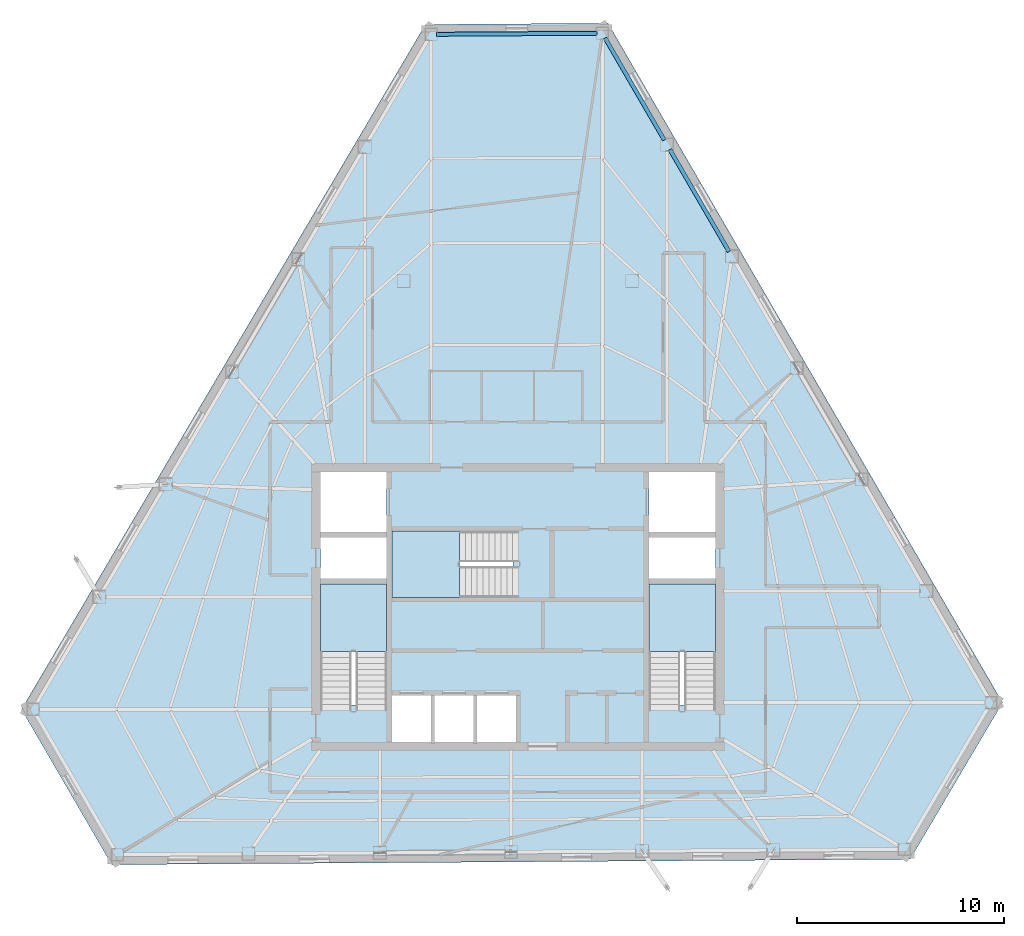
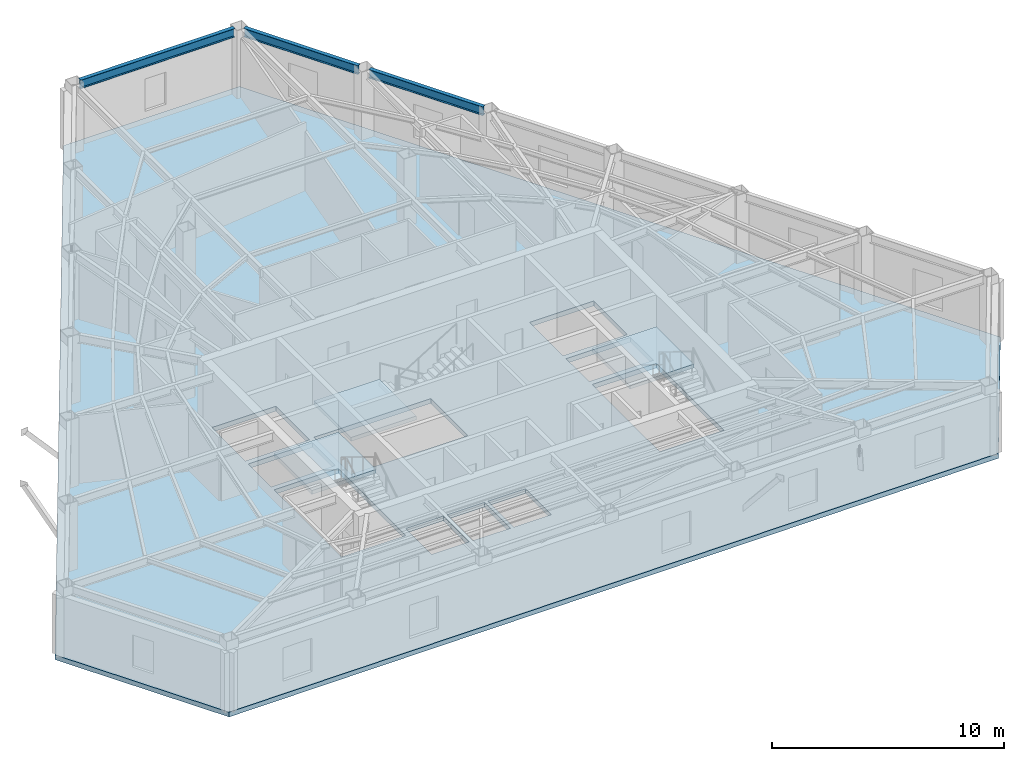
# One storey, part 3 of 10: 4 slabs, 3 beams, 3 elements without a shape of their own.
"""IFC4 building model written with IfcOpenShell, lengths in metres."""

from ifc_helpers import new_model, si_unit, direction, frame, origin, origin_2d, place, context, subcontext, project, spatial, polyline, i_section, outline, extrude, material, layer, layer_set, material_profile, profile_set, type_object, element, aggregate, save


model = new_model("IFC4")

# Units and contexts
model_context = context("Model", 3, precision=1e-05, world=origin(), true_north=direction((0.0, 1.0)))
body_context = subcontext(model_context, "Body", "Model", "MODEL_VIEW")
ifc_project = project(units=[si_unit("LENGTHUNIT", "METRE"), si_unit("AREAUNIT", "SQUARE_METRE"), si_unit("VOLUMEUNIT", "CUBIC_METRE"), si_unit("PLANEANGLEUNIT", "RADIAN"), si_unit("MASSUNIT", "GRAM", prefix="KILO")], contexts=[model_context])

# Site, building, storey
site_placement = place(None, origin())
site = spatial("IfcSite", under=ifc_project, at=site_placement, CompositionType="ELEMENT")
building_placement = place(site_placement, origin())
building = spatial("IfcBuilding", under=site, at=building_placement, Name="Kavelnor Concourse Tower", CompositionType="ELEMENT")
storey_placement = place(building_placement, frame((0.0, 0.0, 211.199951171875)))
storey = spatial("IfcBuildingStorey", under=building, at=storey_placement, Name="L53", CompositionType="ELEMENT", Elevation=211.199951171875)

# Beams
ifc_material_1 = material(Name="Steel Grade 350", Category="steel")
ifc_material_profile = material_profile(ifc_material_1, i_section(OverallWidth=0.19091796875, OverallDepth=0.4599609375, WebThickness=0.010009765625, FlangeThickness=0.01611328125, at=origin_2d()), Name="460UB82")
ifc_profile_set = profile_set([ifc_material_profile], Name="Steel Grade 350")
beam_type = type_object("IfcBeamType", Name="BM-SPANDREL-Z3", PredefinedType="SPANDREL", material=ifc_profile_set)
beam_1_placement = place(storey_placement, frame((41.807861328125, 43.747314453125, 3.3701171875), z_axis=(-0.99997688278, -0.006799551845, 0.0), x_axis=(0.006799551845, -0.99997688278, 0.0)))
element("IfcBeam", 1, at=beam_1_placement, inside=storey, type_object=beam_type, Name="L53 Chamfer Facet Spandrel Beam C0", PredefinedType="SPANDREL", context=body_context, shape_type="SweptSolid", body=[
    extrude(i_section(OverallWidth=0.19091796875, OverallDepth=0.4599609375, WebThickness=0.010009765625, FlangeThickness=0.01611328125, at=origin_2d()), origin(), (0.0, 0.0, 1.0), 7.7197265625),
])
beam_2_placement = place(storey_placement, frame((48.184326171875, 33.225341796875, 3.3701171875), z_axis=(-0.502196615347, 0.864753467489, 0.0), x_axis=(-0.864753467489, -0.502196615347, 0.0)))
element("IfcBeam", 2, at=beam_2_placement, inside=storey, type_object=beam_type, Name="L53 Perimeter Tube Spandrel Beam F2-B4", PredefinedType="SPANDREL", context=body_context, shape_type="SweptSolid", body=[
    extrude(i_section(OverallWidth=0.19091796875, OverallDepth=0.4599609375, WebThickness=0.010009765625, FlangeThickness=0.01611328125, at=origin_2d()), origin(), (0.0, 0.0, 1.0), 5.6875),
])
beam_3_placement = place(storey_placement, frame((45.06201171875, 38.601806640625, 3.3701171875), z_axis=(-0.502164513966, 0.864772109236, 0.0), x_axis=(-0.864772109236, -0.502164513966, 0.0)))
element("IfcBeam", 3, at=beam_3_placement, inside=storey, type_object=beam_type, Name="L53 Perimeter Tube Spandrel Beam F2-B5", PredefinedType="SPANDREL", context=body_context, shape_type="SweptSolid", body=[
    extrude(i_section(OverallWidth=0.19091796875, OverallDepth=0.4599609375, WebThickness=0.010009765625, FlangeThickness=0.01611328125, at=origin_2d()), origin(), (0.0, 0.0, 1.0), 5.687255859375),
])

# Stair, slab
ifc_material_2 = material(Name="Concrete C40/50", Category="concrete")
stair_type = type_object("IfcStairType", Name="STR-CORE-1500", PredefinedType="HALF_TURN_STAIR", material=ifc_material_2)
stair_1_placement = place(storey_placement, origin())
stair_1 = element("IfcStair", 4, at=stair_1_placement, inside=storey, type_object=stair_type, Name="L53 ST1", PredefinedType="HALF_TURN_STAIR")
ifc_layer_1 = layer(ifc_material_2, 0.199951171875, Name="Concrete C40/50")
ifc_layer_set_1 = layer_set([ifc_layer_1], Name="Concrete C40/50")
slab_type_1 = type_object("IfcSlabType", Name="SLB-LANDING-200", PredefinedType="LANDING", material=ifc_layer_set_1)
slab_1_placement = place(storey_placement, frame((0.0, 0.0, 1.72509765625)))
slab_1 = element("IfcSlab", 5, at=slab_1_placement, type_object=slab_type_1, Name="ST1 landing 1", PredefinedType="LANDING", context=body_context, shape_type="SweptSolid", body=[
    extrude(outline(polyline([(31.679931640625, 13.949951171875), (31.679931640625, 17.199951171875), (28.47998046875, 17.199951171875), (28.47998046875, 13.949951171875), (31.679931640625, 13.949951171875)])), origin(), (0.0, 0.0, 1.0), 0.199951171875),
])
aggregate(stair_1, [slab_1])

stair_2_placement = place(storey_placement, origin())
stair_2 = element("IfcStair", 6, at=stair_2_placement, inside=storey, type_object=stair_type, Name="L53 ST2", PredefinedType="HALF_TURN_STAIR")
slab_2_placement = place(storey_placement, frame((0.0, 0.0, 1.72509765625)))
slab_2 = element("IfcSlab", 7, at=slab_2_placement, type_object=slab_type_1, Name="ST2 landing 1", PredefinedType="LANDING", context=body_context, shape_type="SweptSolid", body=[
    extrude(outline(polyline([(47.52001953125, 13.949951171875), (47.52001953125, 17.199951171875), (44.320068359375, 17.199951171875), (44.320068359375, 13.949951171875), (47.52001953125, 13.949951171875)])), origin(), (0.0, 0.0, 1.0), 0.199951171875),
])
aggregate(stair_2, [slab_2])

stair_3_placement = place(storey_placement, origin())
stair_3 = element("IfcStair", 8, at=stair_3_placement, inside=storey, type_object=stair_type, Name="L53 ST3", PredefinedType="HALF_TURN_STAIR")
slab_3_placement = place(storey_placement, frame((0.0, 0.0, 1.72509765625)))
slab_3 = element("IfcSlab", 9, at=slab_3_placement, type_object=slab_type_1, Name="ST3 landing 1", PredefinedType="LANDING", context=body_context, shape_type="SweptSolid", body=[
    extrude(outline(polyline([(35.18994140625, 19.760009765625), (31.93994140625, 19.760009765625), (31.93994140625, 16.56005859375), (35.18994140625, 16.56005859375), (35.18994140625, 19.760009765625)])), origin(), (0.0, 0.0, 1.0), 0.199951171875),
])
aggregate(stair_3, [slab_3])

# Slab
ifc_layer_2 = layer(ifc_material_2, 0.25, Name="Concrete C40/50")
ifc_layer_set_2 = layer_set([ifc_layer_2], Name="Concrete C40/50")
slab_type_2 = type_object("IfcSlabType", Name="SLB-OFFICE-250", PredefinedType="FLOOR", material=ifc_layer_set_2)
slab_4_placement = place(storey_placement, frame((0.0, 0.0, -0.25)))
element("IfcSlab", 10, at=slab_4_placement, inside=storey, type_object=slab_type_2, Name="L53 Composite Structural Floor Slab", PredefinedType="FLOOR", context=body_context, shape_type="SweptSolid", body=[
    extrude(outline(polyline([(42.34814453125, 44.23095703125), (33.548095703125, 44.171142578125), (14.080322265625, 11.1669921875), (18.428466796875, 3.6796875), (56.910888671875, 3.94140625), (61.362548828125, 11.488525390625), (42.34814453125, 44.23095703125)]), holes=[polyline([(28.47998046875, 11.3798828125), (31.679931640625, 11.3798828125), (31.679931640625, 17.199951171875), (28.47998046875, 17.199951171875), (28.47998046875, 11.3798828125)]), polyline([(44.320068359375, 11.3798828125), (47.52001953125, 11.3798828125), (47.52001953125, 17.199951171875), (44.320068359375, 17.199951171875), (44.320068359375, 11.3798828125)]), polyline([(31.93994140625, 16.56005859375), (37.760009765625, 16.56005859375), (37.760009765625, 19.760009765625), (31.93994140625, 19.760009765625), (31.93994140625, 16.56005859375)]), polyline([(28.47998046875, 19.699951171875), (31.679931640625, 19.699951171875), (31.679931640625, 22.60009765625), (28.47998046875, 22.60009765625), (28.47998046875, 19.699951171875)]), polyline([(44.320068359375, 19.699951171875), (47.52001953125, 19.699951171875), (47.52001953125, 22.60009765625), (44.320068359375, 22.60009765625), (44.320068359375, 19.699951171875)]), polyline([(31.93994140625, 9.60009765625), (33.81005859375, 9.60009765625), (33.81005859375, 11.840087890625), (31.93994140625, 11.840087890625), (31.93994140625, 9.60009765625)]), polyline([(33.989990234375, 9.60009765625), (35.860107421875, 9.60009765625), (35.860107421875, 11.840087890625), (33.989990234375, 11.840087890625), (33.989990234375, 9.60009765625)]), polyline([(36.0400390625, 9.60009765625), (37.909912109375, 9.60009765625), (37.909912109375, 11.840087890625), (36.0400390625, 11.840087890625), (36.0400390625, 9.60009765625)]), polyline([(28.47998046875, 17.4599609375), (31.679931640625, 17.4599609375), (31.679931640625, 19.43994140625), (28.47998046875, 19.43994140625), (28.47998046875, 17.4599609375)]), polyline([(44.320068359375, 17.4599609375), (47.52001953125, 17.4599609375), (47.52001953125, 19.43994140625), (44.320068359375, 19.43994140625), (44.320068359375, 17.4599609375)])]), origin(), (0.0, 0.0, 1.0), 0.25),
])

save(model, "model.ifc")
